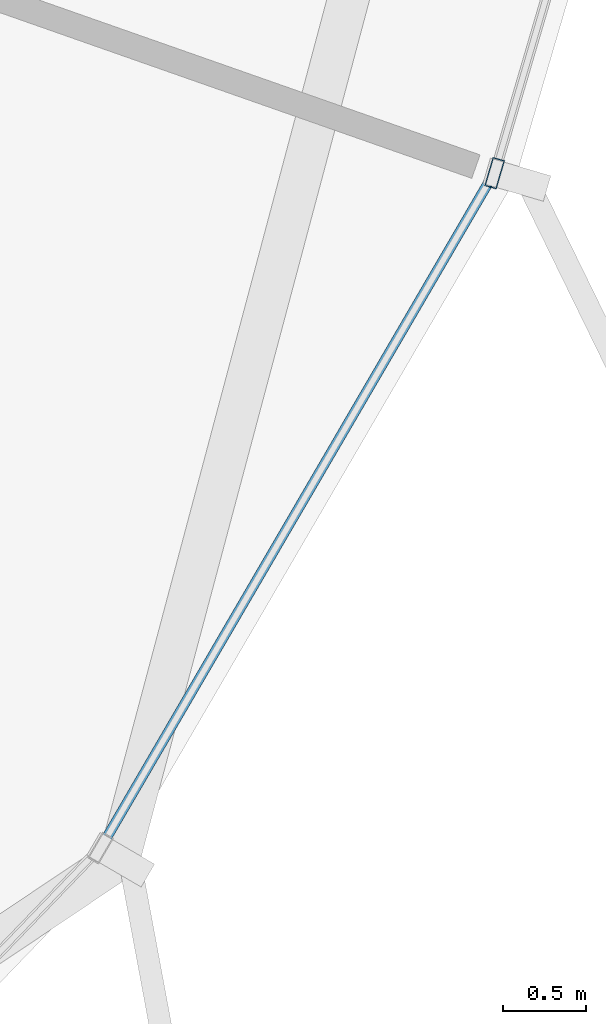
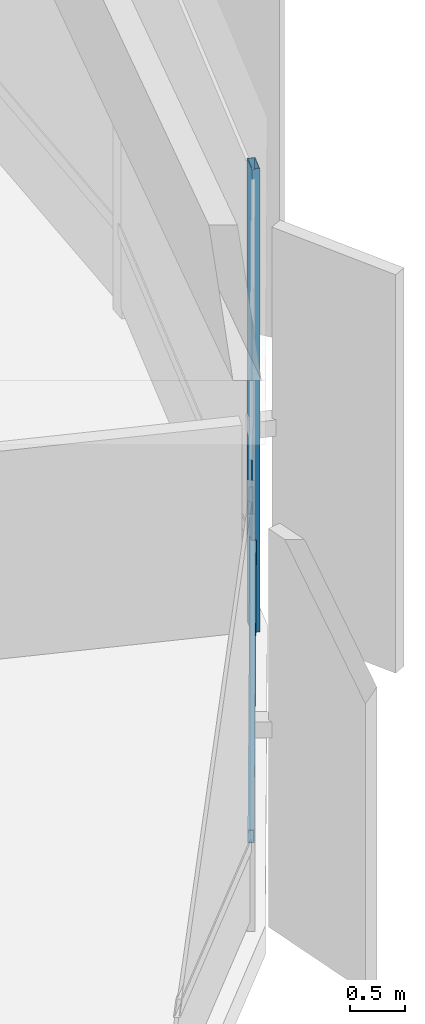
# One storey, part 19 of 36: 2 members, 1 element without a shape of its own.
"""IFC4 building model written with IfcOpenShell, lengths in metres."""

from ifc_helpers import new_model, si_unit, direction, frame, origin, origin_2d, place, context, subcontext, project, spatial, hollow_rectangle, extrude, source, transform, mapped, material, layer, layer_set, material_profile, profile_set, type_object, element, aggregate, save


model = new_model("IFC4")

# Units and contexts
model_context = context("Model", 3, precision=1e-05, world=origin(), true_north=direction((0.0, 1.0)))
body_context = subcontext(model_context, "Body", "Model", "MODEL_VIEW")
ifc_project = project(units=[si_unit("LENGTHUNIT", "METRE"), si_unit("AREAUNIT", "SQUARE_METRE"), si_unit("VOLUMEUNIT", "CUBIC_METRE"), si_unit("PLANEANGLEUNIT", "RADIAN"), si_unit("MASSUNIT", "GRAM", prefix="KILO"), si_unit("THERMODYNAMICTEMPERATUREUNIT", "KELVIN")], contexts=[model_context])

# Site, building, storey
site_placement = place(None, origin())
site = spatial("IfcSite", under=ifc_project, at=site_placement, CompositionType="ELEMENT")
building_placement = place(site_placement, origin())
building = spatial("IfcBuilding", under=site, at=building_placement, Name="Kethvar Cultural Tower", CompositionType="ELEMENT")
storey_placement = place(building_placement, frame((0.0, 0.0, 24.0)))
storey = spatial("IfcBuildingStorey", under=building, at=storey_placement, Name="L05", CompositionType="ELEMENT", Elevation=24.0)

# Curtain wall, members
ifc_material = material(Name="Aluminium 6063-T6", Category="aluminium")
ifc_layer = layer(ifc_material, 0.179931640625, Name="Aluminium 6063-T6", Category="aluminium")
ifc_layer_set = layer_set([ifc_layer], Name="Aluminium 6063-T6 (180 mm)")
curtain_wall_type = type_object("IfcCurtainWallType", Name="CW-SYS-01-POD", PredefinedType="NOTDEFINED", material=ifc_layer_set)
curtain_wall_placement = place(storey_placement, origin())
curtain_wall = element("IfcCurtainWall", 1, at=curtain_wall_placement, inside=storey, type_object=curtain_wall_type, Name="L05 Curtain Wall Run 06", PredefinedType="NOTDEFINED")
ifc_material_profile_1 = material_profile(ifc_material, hollow_rectangle(XDim=0.06005859375, YDim=0.139892578125, WallThickness=0.0048828125, at=origin_2d()), Name="Aluminium 6063-T6 — RHS140x60x5")
ifc_profile_set_1 = profile_set([ifc_material_profile_1], Name="Aluminium 6063-T6 — RHS140x60x5")
member_type_1 = type_object("IfcMemberType", Name="CW-SYS-01-POD-TRN", PredefinedType="USERDEFINED", material=ifc_profile_set_1)
shared_shape_1 = source(origin(), body_context, "Body", "SweptSolid", [
    extrude(hollow_rectangle(XDim=0.06005859375, YDim=0.139892578125, WallThickness=0.0048828125, at=origin_2d()), origin(), (0.0, 0.0, 1.0), 4.639892578125),
])
member_1_placement = place(storey_placement, frame((78.79931640625, 11.71826171875, 0.949951171875), z_axis=(0.503504560489, 0.863992568004, 0.0), x_axis=(-0.863992568004, 0.503504560489, 0.0)))
member_1 = element("IfcMember", 2, at=member_1_placement, type_object=member_type_1, Name="CW-L05-R06 Transom 4", ObjectType="TRANSOM", PredefinedType="USERDEFINED", context=body_context, shape_type="MappedRepresentation", body=[
    mapped(shared_shape_1, transform((0.0, 0.0, 0.0), scale=1.0)),
])
ifc_material_profile_2 = material_profile(ifc_material, hollow_rectangle(XDim=0.074951171875, YDim=0.179931640625, WallThickness=0.006103515625, at=origin_2d()), Name="Aluminium 6063-T6 — RHS180x75x6")
ifc_profile_set_2 = profile_set([ifc_material_profile_2], Name="Aluminium 6063-T6 — RHS180x75x6")
member_type_2 = type_object("IfcMemberType", Name="CW-SYS-01-POD-MUL", PredefinedType="MULLION", material=ifc_profile_set_2)
shared_shape_2 = source(origin(), body_context, "Body", "SweptSolid", [
    extrude(hollow_rectangle(XDim=0.074951171875, YDim=0.179931640625, WallThickness=0.006103515625, at=origin_2d()), origin(), (0.0, 0.0, 1.0), 5.1201171875),
])
member_2_placement = place(storey_placement, frame((81.150390625, 15.744873046875, 0.0), z_axis=(0.0, 0.0, 1.0), x_axis=(-0.959496102658, 0.28172190008, 0.0)))
member_2 = element("IfcMember", 3, at=member_2_placement, type_object=member_type_2, Name="CW-L05-R06 Mullion 5", PredefinedType="MULLION", context=body_context, shape_type="MappedRepresentation", body=[
    mapped(shared_shape_2, transform((0.0, 0.0, 0.0), scale=1.0)),
])
aggregate(curtain_wall, [member_2, member_1])

save(model, "model.ifc")
